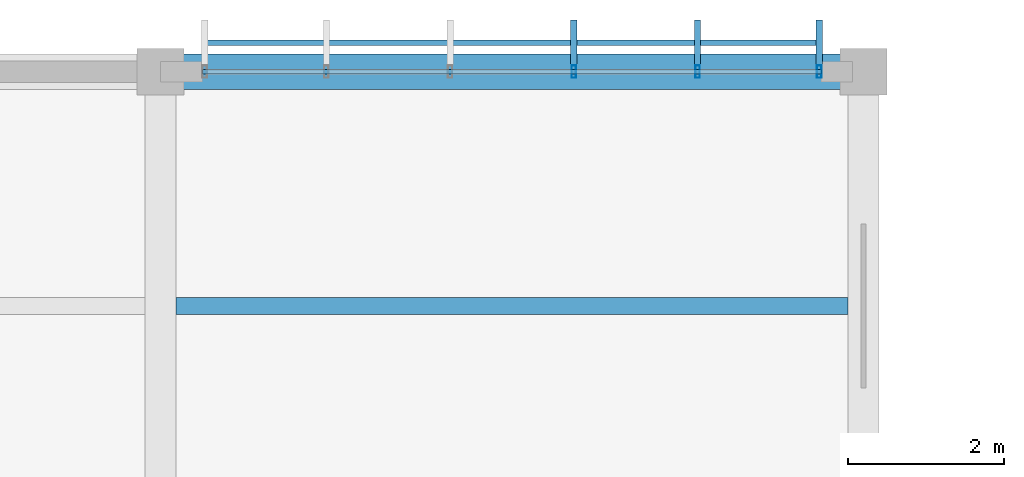
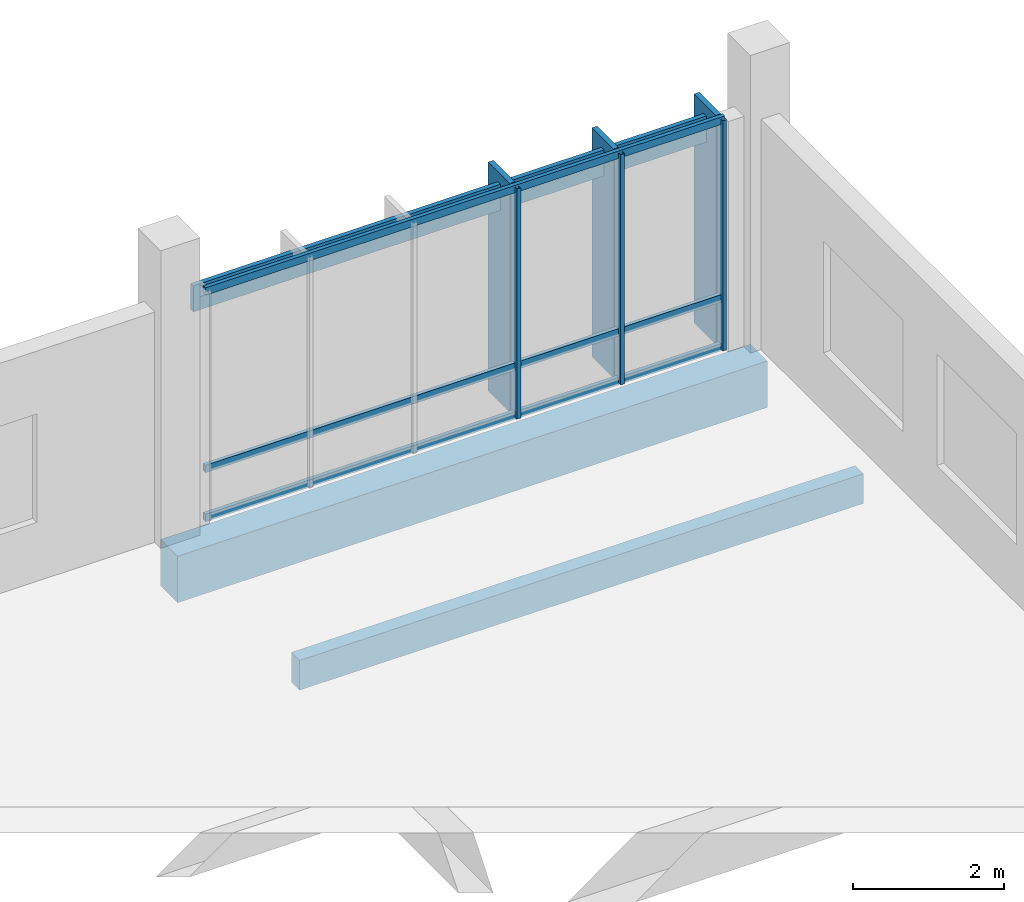
# One storey, part 131 of 177: 10 members, 2 beams, 1 element without a shape of its own.
"""IFC4 building model written with IfcOpenShell, lengths in metres."""

from ifc_helpers import new_model, si_unit, direction, frame, origin, origin_2d, place, context, subcontext, project, spatial, rectangle, hollow_rectangle, extrude, material, material_profile, profile_set, type_object, element, aggregate, save


model = new_model("IFC4")

# Units and contexts
model_context = context("Model", 3, precision=1e-05, world=origin(), true_north=direction((0.0, 1.0)))
body_context = subcontext(model_context, "Body", "Model", "MODEL_VIEW")
ifc_project = project(units=[si_unit("LENGTHUNIT", "METRE"), si_unit("AREAUNIT", "SQUARE_METRE"), si_unit("VOLUMEUNIT", "CUBIC_METRE"), si_unit("PLANEANGLEUNIT", "RADIAN"), si_unit("MASSUNIT", "GRAM", prefix="KILO")], contexts=[model_context])

# Site, building, storey
site_placement = place(None, origin())
site = spatial("IfcSite", under=ifc_project, at=site_placement, CompositionType="ELEMENT")
building_placement = place(site_placement, origin())
building = spatial("IfcBuilding", under=site, at=building_placement, Name="Chiffa Square Polytechnic", CompositionType="ELEMENT")
storey_placement = place(building_placement, frame((0.0, 0.0, 4.800048828125)))
storey = spatial("IfcBuildingStorey", under=building, at=storey_placement, Name="L01", CompositionType="ELEMENT", Elevation=4.800048828125)

# Beam
ifc_material_1 = material(Name="Concrete C35/45", Category="concrete")
ifc_material_profile_1 = material_profile(ifc_material_1, rectangle(XDim=0.449951171875, YDim=0.75, at=origin_2d()), Name="RC 450x750")
ifc_profile_set_1 = profile_set([ifc_material_profile_1], Name="Concrete C35/45")
beam_type_1 = type_object("IfcBeamType", Name="BM-RC-450X750", PredefinedType="BEAM", material=ifc_profile_set_1)
beam_1_placement = place(storey_placement, frame((139.199951171875, 130.800048828125, -0.655029296875), z_axis=(1.0, 0.0, 0.0), x_axis=(0.0, 1.0, 0.0)))
element("IfcBeam", 1, at=beam_1_placement, inside=storey, type_object=beam_type_1, Name="Primary floor girder BM-V5-L01-X-1392-1308", PredefinedType="BEAM", context=body_context, shape_type="SweptSolid", body=[
    extrude(rectangle(XDim=0.449951171875, YDim=0.75, at=origin_2d()), origin(), (0.0, 0.0, 1.0), 9.0),
])

# Curtain wall, members
ifc_material_2 = material(Name="Aluminium EN AW-6060 T66 and glulam shading", Category="wood")
curtain_wall_type = type_object("IfcCurtainWallType", Name="CW-VERT-300X380", PredefinedType="USERDEFINED", material=ifc_material_2)
curtain_wall_placement = place(storey_placement, origin())
curtain_wall = element("IfcCurtainWall", 2, at=curtain_wall_placement, inside=storey, type_object=curtain_wall_type, Name="Curtain wall CW-V5-L01-203", ObjectType="CURTAIN WALL", PredefinedType="USERDEFINED")
ifc_material_3 = material(Name="Aluminium EN AW-6060 T66", Category="aluminium")
ifc_material_profile_2 = material_profile(ifc_material_3, hollow_rectangle(XDim=0.06005859375, YDim=0.159912109375, WallThickness=0.00390625, at=origin_2d()), Name="ALU 60x160x4")
ifc_profile_set_2 = profile_set([ifc_material_profile_2], Name="Aluminium EN AW-6060 T66")
member_type_1 = type_object("IfcMemberType", Name="CWM-ALU-65X150", PredefinedType="MULLION", material=ifc_profile_set_2)
member_1_placement = place(storey_placement, frame((147.635009765625, 130.800048828125, 0.0), z_axis=(0.0, 0.0, 1.0), x_axis=(1.0, 0.0, 0.0)))
member_1 = element("IfcMember", 3, at=member_1_placement, type_object=member_type_1, Name="Curtain wall mullion CW-V5-L01-203-M00", PredefinedType="MULLION", context=body_context, shape_type="SweptSolid", body=[
    extrude(hollow_rectangle(XDim=0.06005859375, YDim=0.159912109375, WallThickness=0.00390625, at=origin_2d()), origin(), (0.0, 0.0, 1.0), 3.71484375),
])
member_2_placement = place(storey_placement, frame((146.075927734375, 130.800048828125, 0.0), z_axis=(0.0, 0.0, 1.0), x_axis=(1.0, 0.0, 0.0)))
member_2 = element("IfcMember", 4, at=member_2_placement, type_object=member_type_1, Name="Curtain wall mullion CW-V5-L01-203-M01", PredefinedType="MULLION", context=body_context, shape_type="SweptSolid", body=[
    extrude(hollow_rectangle(XDim=0.06005859375, YDim=0.159912109375, WallThickness=0.00390625, at=origin_2d()), origin(), (0.0, 0.0, 1.0), 3.71484375),
])
member_3_placement = place(storey_placement, frame((144.491943359375, 130.800048828125, 0.0), z_axis=(0.0, 0.0, 1.0), x_axis=(1.0, 0.0, 0.0)))
member_3 = element("IfcMember", 5, at=member_3_placement, type_object=member_type_1, Name="Curtain wall mullion CW-V5-L01-203-M02", PredefinedType="MULLION", context=body_context, shape_type="SweptSolid", body=[
    extrude(hollow_rectangle(XDim=0.06005859375, YDim=0.159912109375, WallThickness=0.00390625, at=origin_2d()), origin(), (0.0, 0.0, 1.0), 3.71484375),
])
ifc_material_4 = material(Name="Glulam GL28h", Category="wood")
ifc_material_profile_3 = material_profile(ifc_material_4, rectangle(XDim=0.080078125, YDim=0.580078125, at=origin_2d()), Name="GL28h 80x580")
ifc_profile_set_3 = profile_set([ifc_material_profile_3], Name="Glulam GL28h")
member_type_2 = type_object("IfcMemberType", Name="CWM-GL-80X580", PredefinedType="MULLION", material=ifc_profile_set_3)
member_4_placement = place(storey_placement, frame((147.635009765625, 131.172119140625, 0.010009765625), z_axis=(0.0, 0.0, 1.0), x_axis=(-1.0, 0.0, 0.0)))
member_4 = element("IfcMember", 6, at=member_4_placement, type_object=member_type_2, Name="Exterior glulam solar fin CW-V5-L01-203-FN00", PredefinedType="MULLION", context=body_context, shape_type="SweptSolid", body=[
    extrude(rectangle(XDim=0.080078125, YDim=0.580078125, at=origin_2d()), origin(), (0.0, 0.0, 1.0), 3.69482421875),
])
member_5_placement = place(storey_placement, frame((146.075927734375, 131.172119140625, 0.010009765625), z_axis=(0.0, 0.0, 1.0), x_axis=(-1.0, 0.0, 0.0)))
member_5 = element("IfcMember", 7, at=member_5_placement, type_object=member_type_2, Name="Exterior glulam solar fin CW-V5-L01-203-FN01", PredefinedType="MULLION", context=body_context, shape_type="SweptSolid", body=[
    extrude(rectangle(XDim=0.080078125, YDim=0.580078125, at=origin_2d()), origin(), (0.0, 0.0, 1.0), 3.69482421875),
])
member_6_placement = place(storey_placement, frame((144.491943359375, 131.172119140625, 0.010009765625), z_axis=(0.0, 0.0, 1.0), x_axis=(-1.0, 0.0, 0.0)))
member_6 = element("IfcMember", 8, at=member_6_placement, type_object=member_type_2, Name="Exterior glulam solar fin CW-V5-L01-203-FN02", PredefinedType="MULLION", context=body_context, shape_type="SweptSolid", body=[
    extrude(rectangle(XDim=0.080078125, YDim=0.580078125, at=origin_2d()), origin(), (0.0, 0.0, 1.0), 3.69482421875),
])
ifc_material_profile_4 = material_profile(ifc_material_3, hollow_rectangle(XDim=0.06005859375, YDim=0.1201171875, WallThickness=0.00390625, at=origin_2d()), Name="ALU 60x120x4")
ifc_profile_set_4 = profile_set([ifc_material_profile_4], Name="Aluminium EN AW-6060 T66")
member_type_3 = type_object("IfcMemberType", Name="CWT-ALU-65X120", PredefinedType="USERDEFINED", material=ifc_profile_set_4)
member_7_placement = place(storey_placement, frame((147.662109375, 130.800048828125, 0.030029296875), z_axis=(-1.0, 0.0, 0.0), x_axis=(0.0, -1.0, 0.0)))
member_7 = element("IfcMember", 9, at=member_7_placement, type_object=member_type_3, Name="Curtain wall transom CW-V5-L01-203-T01", ObjectType="TRANSOM", PredefinedType="USERDEFINED", context=body_context, shape_type="SweptSolid", body=[
    extrude(hollow_rectangle(XDim=0.06005859375, YDim=0.1201171875, WallThickness=0.00390625, at=origin_2d()), origin(), (0.0, 0.0, 1.0), 7.924072265625),
])
member_8_placement = place(storey_placement, frame((147.662109375, 130.800048828125, 0.820068359375), z_axis=(-1.0, 0.0, 0.0), x_axis=(0.0, -1.0, 0.0)))
member_8 = element("IfcMember", 10, at=member_8_placement, type_object=member_type_3, Name="Curtain wall transom CW-V5-L01-203-T02", ObjectType="TRANSOM", PredefinedType="USERDEFINED", context=body_context, shape_type="SweptSolid", body=[
    extrude(hollow_rectangle(XDim=0.06005859375, YDim=0.1201171875, WallThickness=0.00390625, at=origin_2d()), origin(), (0.0, 0.0, 1.0), 7.924072265625),
])
member_9_placement = place(storey_placement, frame((147.662109375, 130.800048828125, 3.68505859375), z_axis=(-1.0, 0.0, 0.0), x_axis=(0.0, -1.0, 0.0)))
member_9 = element("IfcMember", 11, at=member_9_placement, type_object=member_type_3, Name="Curtain wall transom CW-V5-L01-203-T03", ObjectType="TRANSOM", PredefinedType="USERDEFINED", context=body_context, shape_type="SweptSolid", body=[
    extrude(hollow_rectangle(XDim=0.06005859375, YDim=0.1201171875, WallThickness=0.00390625, at=origin_2d()), origin(), (0.0, 0.0, 1.0), 7.924072265625),
])
ifc_material_profile_5 = material_profile(ifc_material_4, rectangle(XDim=0.070068359375, YDim=0.419921875, at=origin_2d()), Name="GL28h 70x420")
ifc_profile_set_5 = profile_set([ifc_material_profile_5], Name="Glulam GL28h")
member_type_4 = type_object("IfcMemberType", Name="CWT-GL-70X420", PredefinedType="USERDEFINED", material=ifc_profile_set_5)
member_10_placement = place(storey_placement, frame((147.635009765625, 131.172119140625, 3.3349609375), z_axis=(-1.0, 0.0, 0.0), x_axis=(0.0, -1.0, 0.0)))
member_10 = element("IfcMember", 12, at=member_10_placement, type_object=member_type_4, Name="Exterior glulam brise-soleil CW-V5-L01-203-BS01", ObjectType="TRANSOM", PredefinedType="USERDEFINED", context=body_context, shape_type="SweptSolid", body=[
    extrude(rectangle(XDim=0.070068359375, YDim=0.419921875, at=origin_2d()), origin(), (0.0, 0.0, 1.0), 7.8701171875),
])
aggregate(curtain_wall, [member_1, member_4, member_2, member_5, member_3, member_6, member_7, member_8, member_9, member_10])

# Beam
ifc_material_profile_6 = material_profile(ifc_material_4, rectangle(XDim=0.219970703125, YDim=0.47998046875, at=origin_2d()), Name="GL28h 220x480")
ifc_profile_set_6 = profile_set([ifc_material_profile_6], Name="Glulam GL28h")
beam_type_2 = type_object("IfcBeamType", Name="JST-GL-220X480", PredefinedType="JOIST", material=ifc_profile_set_6)
beam_2_placement = place(storey_placement, frame((139.39794921875, 127.800048828125, -0.52001953125), z_axis=(1.0, 0.0, 0.0), x_axis=(0.0, 1.0, 0.0)))
element("IfcBeam", 13, at=beam_2_placement, inside=storey, type_object=beam_type_2, Name="Secondary floor joist JST-V5-L01-1392-1278", PredefinedType="JOIST", context=body_context, shape_type="SweptSolid", body=[
    extrude(rectangle(XDim=0.219970703125, YDim=0.47998046875, at=origin_2d()), origin(), (0.0, 0.0, 1.0), 8.60400390625),
])

save(model, "model.ifc")
